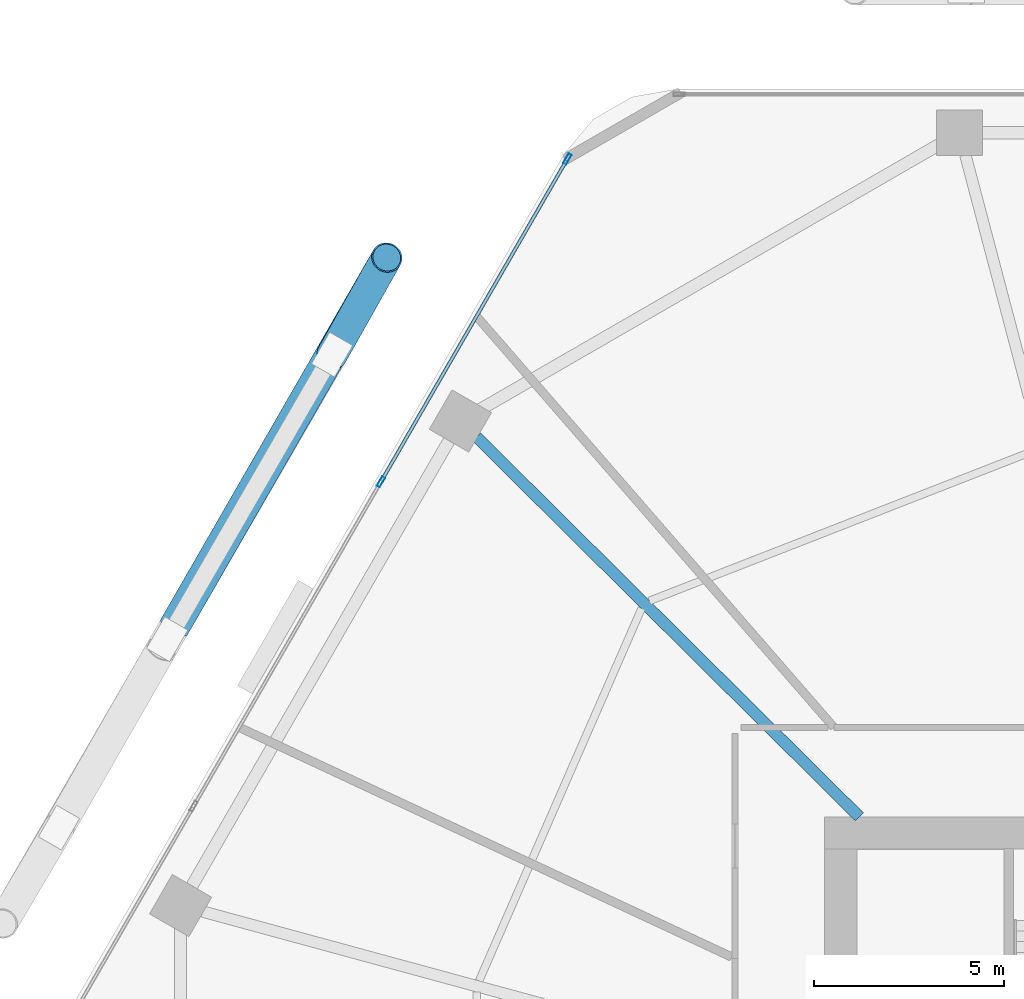
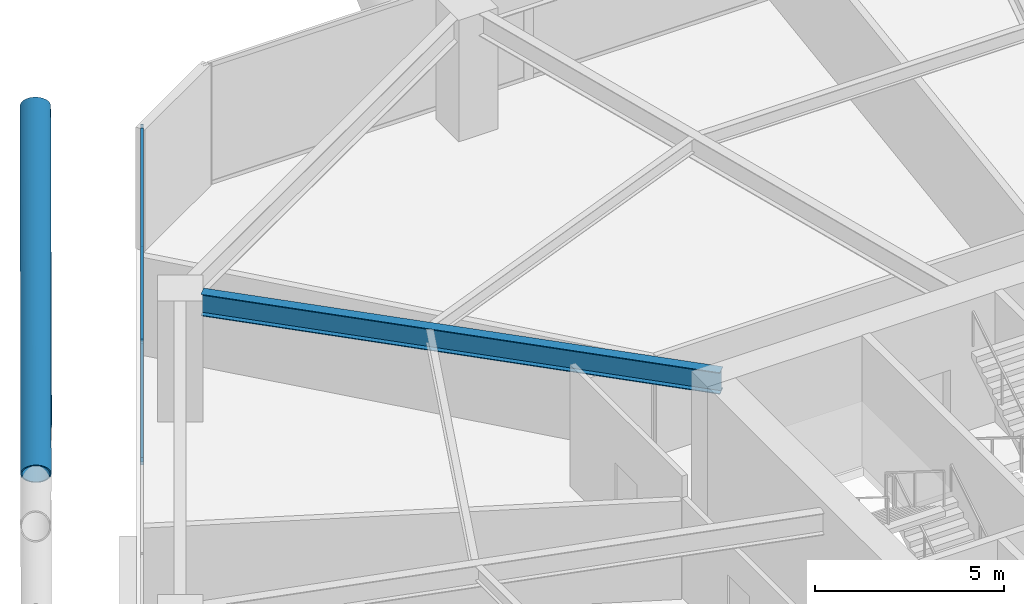
# One storey, part 15 of 30: 6 members, 1 beam, 1 element without a shape of its own.
"""IFC4 building model written with IfcOpenShell, lengths in metres."""

from ifc_helpers import new_model, si_unit, direction, frame, origin, origin_2d, place, context, subcontext, project, spatial, hollow_rectangle, hollow_circle, i_section, extrude, material, material_profile, profile_set, type_object, element, aggregate, save


model = new_model("IFC4")

# Units and contexts
model_context = context("Model", 3, precision=1e-05, world=origin(), true_north=direction((0.0, 1.0)))
body_context = subcontext(model_context, "Body", "Model", "MODEL_VIEW")
ifc_project = project(units=[si_unit("LENGTHUNIT", "METRE"), si_unit("AREAUNIT", "SQUARE_METRE"), si_unit("VOLUMEUNIT", "CUBIC_METRE"), si_unit("PLANEANGLEUNIT", "RADIAN"), si_unit("MASSUNIT", "GRAM", prefix="KILO")], contexts=[model_context])

# Site, building, storey
site_placement = place(None, origin())
site = spatial("IfcSite", under=ifc_project, at=site_placement, CompositionType="ELEMENT")
building_placement = place(site_placement, origin())
building = spatial("IfcBuilding", under=site, at=building_placement, Name="Zuhravey Tower", CompositionType="ELEMENT")
storey_placement = place(building_placement, frame((0.0, 0.0, 16.199951171875)))
storey = spatial("IfcBuildingStorey", under=building, at=storey_placement, Name="L04", CompositionType="ELEMENT", Elevation=16.199951171875)

# Curtain wall, members
ifc_material_1 = material(Name="Thermally broken anodised aluminium", Category="aluminium")
curtain_wall_type = type_object("IfcCurtainWallType", Name="School Low-E Unitised Curtain Wall CW1", PredefinedType="NOTDEFINED", material=ifc_material_1)
curtain_wall_placement = place(storey_placement, origin())
curtain_wall = element("IfcCurtainWall", 1, at=curtain_wall_placement, inside=storey, type_object=curtain_wall_type, Name="L04 CW1 CW-L04-F3-1", PredefinedType="NOTDEFINED")
ifc_material_2 = material(Name="Anodised aluminium", Category="aluminium")
ifc_material_profile_1 = material_profile(ifc_material_2, hollow_rectangle(XDim=0.090087890625, YDim=0.284912109375, WallThickness=0.0048828125, at=origin_2d()), Name="ALU-RHS-90x285x5")
ifc_profile_set_1 = profile_set([ifc_material_profile_1], Name="Anodised aluminium")
member_type_1 = type_object("IfcMemberType", Name="Curtain-Wall Mullion 90x180", PredefinedType="MULLION", material=ifc_profile_set_1)
member_1_placement = place(storey_placement, frame((13.387939453125, 50.75146484375, 0.0), z_axis=(0.0, 0.0, 1.0), x_axis=(-0.86602552265, 0.499999794119, 0.0)))
member_1 = element("IfcMember", 2, at=member_1_placement, type_object=member_type_1, Name="CW1 mullion 3", PredefinedType="MULLION", context=body_context, shape_type="SweptSolid", body=[
    extrude(hollow_rectangle(XDim=0.090087890625, YDim=0.284912109375, WallThickness=0.0048828125, at=origin_2d()), origin(), (0.0, 0.0, 1.0), 3.920166015625),
])
member_2_placement = place(storey_placement, frame((18.298583984375, 59.257080078125, 0.0), z_axis=(0.0, 0.0, 1.0), x_axis=(-0.86602552265, 0.499999794119, 0.0)))
member_2 = element("IfcMember", 3, at=member_2_placement, type_object=member_type_1, Name="CW1 mullion 4", PredefinedType="MULLION", context=body_context, shape_type="SweptSolid", body=[
    extrude(hollow_rectangle(XDim=0.090087890625, YDim=0.284912109375, WallThickness=0.0048828125, at=origin_2d()), origin(), (0.0, 0.0, 1.0), 3.920166015625),
])
ifc_material_profile_2 = material_profile(ifc_material_2, hollow_rectangle(XDim=0.090087890625, YDim=0.14990234375, WallThickness=0.0048828125, at=origin_2d()), Name="ALU-RHS-90x150x5")
ifc_profile_set_2 = profile_set([ifc_material_profile_2], Name="Anodised aluminium")
member_type_2 = type_object("IfcMemberType", Name="Curtain-Wall Transom 90x150", PredefinedType="USERDEFINED", material=ifc_profile_set_2)
member_3_placement = place(storey_placement, frame((13.410400390625, 50.79052734375, 0.045166015625), z_axis=(0.499989576763, 0.86603142156, 0.0), x_axis=(-0.86603142156, 0.499989576763, 0.0)))
member_3 = element("IfcMember", 4, at=member_3_placement, type_object=member_type_2, Name="CW1 transom 3.1", ObjectType="TRANSOM", PredefinedType="USERDEFINED", context=body_context, shape_type="SweptSolid", body=[
    extrude(hollow_rectangle(XDim=0.090087890625, YDim=0.14990234375, WallThickness=0.0048828125, at=origin_2d()), origin(), (0.0, 0.0, 1.0), 9.731201171875),
])
member_4_placement = place(storey_placement, frame((13.410400390625, 50.79052734375, 3.875), z_axis=(0.499989576763, 0.86603142156, 0.0), x_axis=(-0.86603142156, 0.499989576763, 0.0)))
member_4 = element("IfcMember", 5, at=member_4_placement, type_object=member_type_2, Name="CW1 transom 3.2", ObjectType="TRANSOM", PredefinedType="USERDEFINED", context=body_context, shape_type="SweptSolid", body=[
    extrude(hollow_rectangle(XDim=0.090087890625, YDim=0.14990234375, WallThickness=0.0048828125, at=origin_2d()), origin(), (0.0, 0.0, 1.0), 9.731201171875),
])
aggregate(curtain_wall, [member_1, member_2, member_3, member_4])

# Members
ifc_material_3 = material(Name="Steel SM460", Category="steel")
ifc_material_profile_3 = material_profile(ifc_material_3, hollow_circle(Radius=0.406494140625, WallThickness=0.035888671875, at=origin_2d()), Name="CHS-812.8x36")
ifc_profile_set_3 = profile_set([ifc_material_profile_3], Name="Steel SM460")
member_type_3 = type_object("IfcMemberType", Name="Exoskeleton Zone 1 Diagrid CHS813x36", PredefinedType="BRACE", material=ifc_profile_set_3)
member_5_placement = place(storey_placement, frame((12.105712890625, 54.111083984375, -0.471923828125), z_axis=(0.16241062079, 0.288037579757, 0.943746333981), x_axis=(-0.871071780124, 0.49115573281, 0.0)))
element("IfcMember", 6, at=member_5_placement, inside=storey, type_object=member_type_3, Name="L04 Face 3 Diagrid Brace 1", PredefinedType="BRACE", context=body_context, shape_type="SweptSolid", body=[
    extrude(hollow_circle(Radius=0.406494140625, WallThickness=0.035888671875, at=origin_2d()), origin(), (0.0, 0.0, 1.0), 8.85400390625),
])
member_6_placement = place(storey_placement, frame((7.9423828125, 46.930419921875, 3.841064453125), z_axis=(0.469101593732, 0.814982196679, 0.340217156908), x_axis=(-0.866682497207, 0.498860149776, 0.0)))
element("IfcMember", 7, at=member_6_placement, inside=storey, type_object=member_type_3, Name="L04 Face 3 Split Diagrid Brace 3B", PredefinedType="BRACE", context=body_context, shape_type="SweptSolid", body=[
    extrude(hollow_circle(Radius=0.406494140625, WallThickness=0.035888671875, at=origin_2d()), origin(), (0.0, 0.0, 1.0), 11.89794921875),
])

# Beam
ifc_material_4 = material(Name="Steel SM355", Category="steel")
ifc_material_profile_4 = material_profile(ifc_material_4, i_section(OverallWidth=0.300048828125, OverallDepth=0.699951171875, WebThickness=0.012939453125, FlangeThickness=0.02392578125, at=origin_2d()), Name="H-700x300x13x24")
ifc_profile_set_4 = profile_set([ifc_material_profile_4], Name="Steel SM355")
beam_type = type_object("IfcBeamType", Name="Radial Primary Girder H700x300", PredefinedType="BEAM", material=ifc_profile_set_4)
beam_placement = place(storey_placement, frame((25.992919921875, 41.927978515625, 3.570068359375), z_axis=(-0.709902823282, 0.704299639, 0.0), x_axis=(-0.704299639, -0.709902823282, 0.0)))
element("IfcBeam", 8, at=beam_placement, inside=storey, type_object=beam_type, Name="L04 RG1 BM-L04-RAD-05", PredefinedType="BEAM", context=body_context, shape_type="SweptSolid", body=[
    extrude(i_section(OverallWidth=0.300048828125, OverallDepth=0.699951171875, WebThickness=0.012939453125, FlangeThickness=0.02392578125, at=origin_2d()), origin(), (0.0, 0.0, 1.0), 14.204345703125),
])

save(model, "model.ifc")
